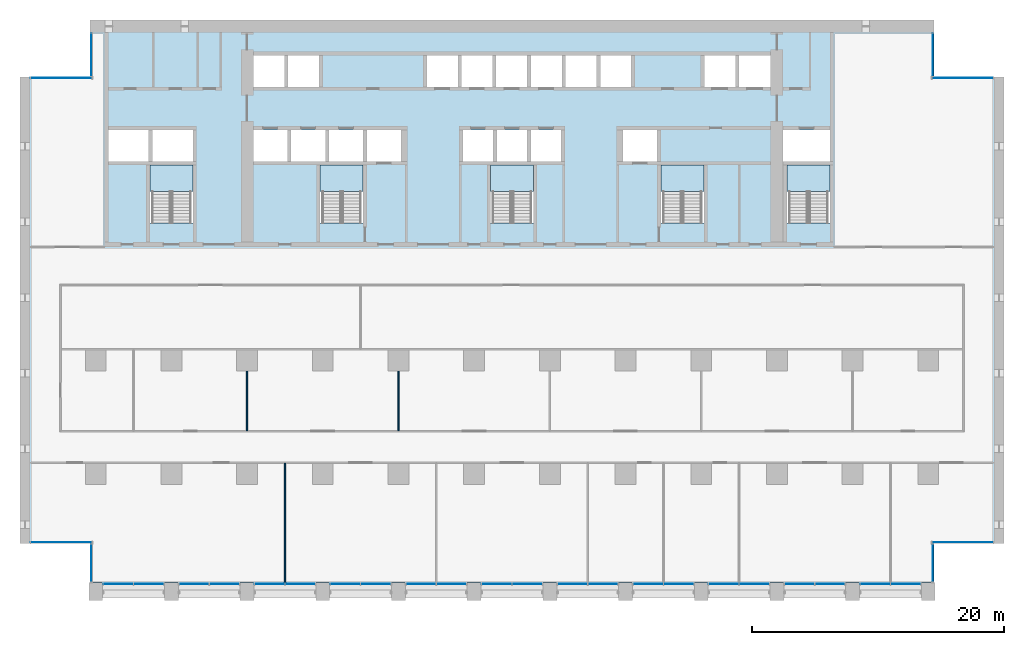
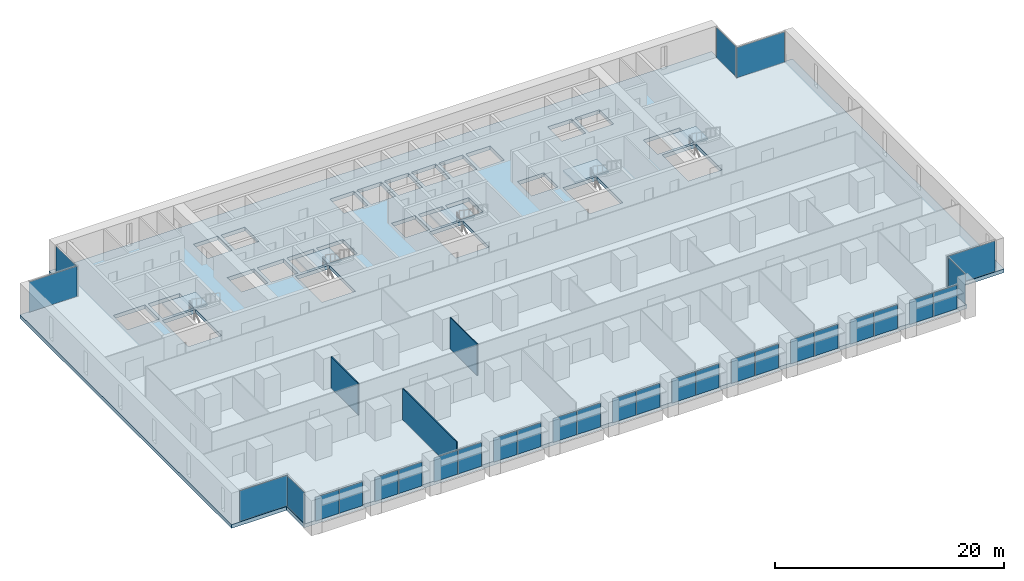
# One storey, part 7 of 18: 30 plates, 6 slabs, 3 walls, 24 elements without a shape of their own.
"""IFC4 building model written with IfcOpenShell, lengths in metres."""

from ifc_helpers import new_model, si_unit, direction, frame, frame_2d, origin, origin_2d, place, context, subcontext, project, spatial, polyline, rectangle, outline, extrude, material, layer, layer_set, type_object, element, aggregate, save


model = new_model("IFC4")

# Units and contexts
model_context = context("Model", 3, precision=1e-05, world=origin(), true_north=direction((0.0, 1.0)))
body_context = subcontext(model_context, "Body", "Model", "MODEL_VIEW")
ifc_project = project(units=[si_unit("LENGTHUNIT", "METRE"), si_unit("AREAUNIT", "SQUARE_METRE"), si_unit("VOLUMEUNIT", "CUBIC_METRE"), si_unit("PLANEANGLEUNIT", "RADIAN"), si_unit("MASSUNIT", "GRAM", prefix="KILO")], contexts=[model_context])

# Site, building, storey
site_placement = place(None, origin())
site = spatial("IfcSite", under=ifc_project, at=site_placement, CompositionType="ELEMENT")
building_placement = place(site_placement, origin())
building = spatial("IfcBuilding", under=site, at=building_placement, Name="Calvaro Tower", CompositionType="ELEMENT")
storey_placement = place(building_placement, frame((0.0, 0.0, 60.0)))
storey = spatial("IfcBuildingStorey", under=building, at=storey_placement, Name="L14", CompositionType="ELEMENT", Elevation=60.0)

# Slab
ifc_material_1 = material(Name="Concrete C40/50", Category="concrete")
ifc_layer_1 = layer(ifc_material_1, 0.39990234375)
ifc_layer_set_1 = layer_set([ifc_layer_1], Name="Concrete C40/50")
slab_type_1 = type_object("IfcSlabType", Name="Floor slab 400 C40/50", PredefinedType="FLOOR", material=ifc_layer_set_1)
slab_1_placement = place(storey_placement, frame((0.0, 0.0, -0.39990234375)))
element("IfcSlab", 1, at=slab_1_placement, inside=storey, type_object=slab_type_1, Name="Floor slab", PredefinedType="FLOOR", context=body_context, shape_type="SweptSolid", body=[
    extrude(outline(polyline([(72.449951171875, 4.5), (72.449951171875, 1.39990234375), (5.550048828125, 1.39990234375), (5.550048828125, 4.5), (0.0, 4.5), (0.0, 41.5), (5.550048828125, 41.5), (5.550048828125, 46.0), (72.449951171875, 46.0), (72.449951171875, 41.5), (78.0, 41.5), (78.0, 4.5), (72.449951171875, 4.5)]), holes=[polyline([(10.300048828125, 29.909912109375), (10.300048828125, 34.5), (12.0, 34.5), (13.699951171875, 34.5), (13.699951171875, 29.909912109375), (12.0, 29.909912109375), (10.300048828125, 29.909912109375)]), polyline([(23.800048828125, 29.909912109375), (23.800048828125, 34.5), (25.5, 34.5), (27.199951171875, 34.5), (27.199951171875, 29.909912109375), (25.5, 29.909912109375), (23.800048828125, 29.909912109375)]), polyline([(37.300048828125, 29.909912109375), (37.300048828125, 34.5), (39.0, 34.5), (40.699951171875, 34.5), (40.699951171875, 29.909912109375), (39.0, 29.909912109375), (37.300048828125, 29.909912109375)]), polyline([(50.800048828125, 29.909912109375), (50.800048828125, 34.5), (52.5, 34.5), (54.199951171875, 34.5), (54.199951171875, 29.909912109375), (52.5, 29.909912109375), (50.800048828125, 29.909912109375)]), polyline([(60.800048828125, 29.909912109375), (60.800048828125, 34.5), (62.5, 34.5), (64.199951171875, 34.5), (64.199951171875, 29.909912109375), (62.5, 29.909912109375), (60.800048828125, 29.909912109375)]), polyline([(18.5, 34.800048828125), (21.199951171875, 34.800048828125), (21.199951171875, 37.300048828125), (18.5, 37.300048828125), (18.5, 34.800048828125)]), polyline([(21.5, 34.800048828125), (24.199951171875, 34.800048828125), (24.199951171875, 37.300048828125), (21.5, 37.300048828125), (21.5, 34.800048828125)]), polyline([(24.5, 34.800048828125), (27.199951171875, 34.800048828125), (27.199951171875, 37.300048828125), (24.5, 37.300048828125), (24.5, 34.800048828125)]), polyline([(35.10009765625, 34.800048828125), (37.5, 34.800048828125), (37.5, 37.300048828125), (35.10009765625, 37.300048828125), (35.10009765625, 34.800048828125)]), polyline([(37.800048828125, 34.800048828125), (40.199951171875, 34.800048828125), (40.199951171875, 37.300048828125), (37.800048828125, 37.300048828125), (37.800048828125, 34.800048828125)]), polyline([(40.5, 34.800048828125), (42.89990234375, 34.800048828125), (42.89990234375, 37.300048828125), (40.5, 37.300048828125), (40.5, 34.800048828125)]), polyline([(18.5, 40.699951171875), (20.949951171875, 40.699951171875), (20.949951171875, 43.199951171875), (18.5, 43.199951171875), (18.5, 40.699951171875)]), polyline([(21.25, 40.699951171875), (23.699951171875, 40.699951171875), (23.699951171875, 43.199951171875), (21.25, 43.199951171875), (21.25, 40.699951171875)]), polyline([(32.25, 40.699951171875), (34.699951171875, 40.699951171875), (34.699951171875, 43.199951171875), (32.25, 43.199951171875), (32.25, 40.699951171875)]), polyline([(35.0, 40.699951171875), (37.449951171875, 40.699951171875), (37.449951171875, 43.199951171875), (35.0, 43.199951171875), (35.0, 40.699951171875)]), polyline([(37.75, 40.699951171875), (40.199951171875, 40.699951171875), (40.199951171875, 43.199951171875), (37.75, 43.199951171875), (37.75, 40.699951171875)]), polyline([(40.5, 40.699951171875), (42.949951171875, 40.699951171875), (42.949951171875, 43.199951171875), (40.5, 43.199951171875), (40.5, 40.699951171875)]), polyline([(43.25, 40.699951171875), (45.699951171875, 40.699951171875), (45.699951171875, 43.199951171875), (43.25, 43.199951171875), (43.25, 40.699951171875)]), polyline([(46.0, 40.699951171875), (48.449951171875, 40.699951171875), (48.449951171875, 43.199951171875), (46.0, 43.199951171875), (46.0, 40.699951171875)]), polyline([(54.25, 40.699951171875), (56.699951171875, 40.699951171875), (56.699951171875, 43.199951171875), (54.25, 43.199951171875), (54.25, 40.699951171875)]), polyline([(57.0, 40.699951171875), (59.5, 40.699951171875), (59.5, 43.199951171875), (57.0, 43.199951171875), (57.0, 40.699951171875)]), polyline([(7.0, 34.800048828125), (10.199951171875, 34.800048828125), (10.199951171875, 37.300048828125), (7.0, 37.300048828125), (7.0, 34.800048828125)]), polyline([(10.5, 34.800048828125), (13.699951171875, 34.800048828125), (13.699951171875, 37.300048828125), (10.5, 37.300048828125), (10.5, 34.800048828125)]), polyline([(60.5, 34.800048828125), (64.199951171875, 34.800048828125), (64.199951171875, 37.300048828125), (60.5, 37.300048828125), (60.5, 34.800048828125)]), polyline([(27.5, 34.800048828125), (30.199951171875, 34.800048828125), (30.199951171875, 37.300048828125), (27.5, 37.300048828125), (27.5, 34.800048828125)]), polyline([(47.800048828125, 34.800048828125), (50.5, 34.800048828125), (50.5, 37.300048828125), (47.800048828125, 37.300048828125), (47.800048828125, 34.800048828125)])]), origin(), (0.0, 0.0, 1.0), 0.39990234375),
])

# Curtain wall, plates
ifc_material_2 = material(Name="Anodised aluminium", Category="aluminium")
curtain_wall_type = type_object("IfcCurtainWallType", Name="Office curtain wall, lower zone", PredefinedType="NOTDEFINED", material=ifc_material_2)
curtain_wall_1_placement = place(storey_placement, origin())
curtain_wall_1 = element("IfcCurtainWall", 2, at=curtain_wall_1_placement, inside=storey, type_object=curtain_wall_type, Name="CW1 south curtain wall", PredefinedType="NOTDEFINED")
ifc_material_3 = material(Name="Glass", Category="glass")
ifc_layer_2 = layer(ifc_material_3, 0.028076171875)
ifc_layer_set_2 = layer_set([ifc_layer_2], Name="Glass")
plate_type = type_object("IfcPlateType", Name="Glass panel S1 28", PredefinedType="CURTAIN_PANEL", material=ifc_layer_set_2)
plate_1_placement = place(storey_placement, frame((7.7900390625, 1.300048828125, 0.0), z_axis=(0.0, 0.0, 1.0), x_axis=(1.0, 0.0, 0.0)))
plate_1 = element("IfcPlate", 3, at=plate_1_placement, type_object=plate_type, Name="CW1 glass panel 1.1", PredefinedType="CURTAIN_PANEL", context=body_context, shape_type="SweptSolid", body=[
    extrude(rectangle(XDim=2.360107421875, YDim=0.028076171875, at=origin_2d()), origin(), (0.0, 0.0, 1.0), 2.550048828125),
])
plate_2_placement = place(storey_placement, frame((10.2099609375, 1.300048828125, 0.0), z_axis=(0.0, 0.0, 1.0), x_axis=(1.0, 0.0, 0.0)))
plate_2 = element("IfcPlate", 4, at=plate_2_placement, type_object=plate_type, Name="CW1 glass panel 2.1", PredefinedType="CURTAIN_PANEL", context=body_context, shape_type="SweptSolid", body=[
    extrude(rectangle(XDim=2.360107421875, YDim=0.028076171875, at=origin_2d()), origin(), (0.0, 0.0, 1.0), 2.550048828125),
])
aggregate(curtain_wall_1, [plate_1, plate_2])

curtain_wall_2_placement = place(storey_placement, origin())
curtain_wall_2 = element("IfcCurtainWall", 5, at=curtain_wall_2_placement, inside=storey, type_object=curtain_wall_type, Name="CW1 south curtain wall", PredefinedType="NOTDEFINED")
plate_3_placement = place(storey_placement, frame((13.7900390625, 1.300048828125, 0.0), z_axis=(0.0, 0.0, 1.0), x_axis=(1.0, 0.0, 0.0)))
plate_3 = element("IfcPlate", 6, at=plate_3_placement, type_object=plate_type, Name="CW1 glass panel 1.1", PredefinedType="CURTAIN_PANEL", context=body_context, shape_type="SweptSolid", body=[
    extrude(rectangle(XDim=2.360107421875, YDim=0.028076171875, at=origin_2d()), origin(), (0.0, 0.0, 1.0), 2.550048828125),
])
plate_4_placement = place(storey_placement, frame((16.2099609375, 1.300048828125, 0.0), z_axis=(0.0, 0.0, 1.0), x_axis=(1.0, 0.0, 0.0)))
plate_4 = element("IfcPlate", 7, at=plate_4_placement, type_object=plate_type, Name="CW1 glass panel 2.1", PredefinedType="CURTAIN_PANEL", context=body_context, shape_type="SweptSolid", body=[
    extrude(rectangle(XDim=2.360107421875, YDim=0.028076171875, at=origin_2d()), origin(), (0.0, 0.0, 1.0), 2.550048828125),
])
aggregate(curtain_wall_2, [plate_3, plate_4])

curtain_wall_3_placement = place(storey_placement, origin())
curtain_wall_3 = element("IfcCurtainWall", 8, at=curtain_wall_3_placement, inside=storey, type_object=curtain_wall_type, Name="CW1 south curtain wall", PredefinedType="NOTDEFINED")
plate_5_placement = place(storey_placement, frame((19.7900390625, 1.300048828125, 0.0), z_axis=(0.0, 0.0, 1.0), x_axis=(1.0, 0.0, 0.0)))
plate_5 = element("IfcPlate", 9, at=plate_5_placement, type_object=plate_type, Name="CW1 glass panel 1.1", PredefinedType="CURTAIN_PANEL", context=body_context, shape_type="SweptSolid", body=[
    extrude(rectangle(XDim=2.360107421875, YDim=0.028076171875, at=origin_2d()), origin(), (0.0, 0.0, 1.0), 2.550048828125),
])
plate_6_placement = place(storey_placement, frame((22.2099609375, 1.300048828125, 0.0), z_axis=(0.0, 0.0, 1.0), x_axis=(1.0, 0.0, 0.0)))
plate_6 = element("IfcPlate", 10, at=plate_6_placement, type_object=plate_type, Name="CW1 glass panel 2.1", PredefinedType="CURTAIN_PANEL", context=body_context, shape_type="SweptSolid", body=[
    extrude(rectangle(XDim=2.360107421875, YDim=0.028076171875, at=origin_2d()), origin(), (0.0, 0.0, 1.0), 2.550048828125),
])
aggregate(curtain_wall_3, [plate_5, plate_6])

curtain_wall_4_placement = place(storey_placement, origin())
curtain_wall_4 = element("IfcCurtainWall", 11, at=curtain_wall_4_placement, inside=storey, type_object=curtain_wall_type, Name="CW1 south curtain wall", PredefinedType="NOTDEFINED")
plate_7_placement = place(storey_placement, frame((25.7900390625, 1.300048828125, 0.0), z_axis=(0.0, 0.0, 1.0), x_axis=(1.0, 0.0, 0.0)))
plate_7 = element("IfcPlate", 12, at=plate_7_placement, type_object=plate_type, Name="CW1 glass panel 1.1", PredefinedType="CURTAIN_PANEL", context=body_context, shape_type="SweptSolid", body=[
    extrude(rectangle(XDim=2.360107421875, YDim=0.028076171875, at=origin_2d()), origin(), (0.0, 0.0, 1.0), 2.550048828125),
])
plate_8_placement = place(storey_placement, frame((28.2099609375, 1.300048828125, 0.0), z_axis=(0.0, 0.0, 1.0), x_axis=(1.0, 0.0, 0.0)))
plate_8 = element("IfcPlate", 13, at=plate_8_placement, type_object=plate_type, Name="CW1 glass panel 2.1", PredefinedType="CURTAIN_PANEL", context=body_context, shape_type="SweptSolid", body=[
    extrude(rectangle(XDim=2.360107421875, YDim=0.028076171875, at=origin_2d()), origin(), (0.0, 0.0, 1.0), 2.550048828125),
])
aggregate(curtain_wall_4, [plate_7, plate_8])

curtain_wall_5_placement = place(storey_placement, origin())
curtain_wall_5 = element("IfcCurtainWall", 14, at=curtain_wall_5_placement, inside=storey, type_object=curtain_wall_type, Name="CW1 south curtain wall", PredefinedType="NOTDEFINED")
plate_9_placement = place(storey_placement, frame((31.7900390625, 1.300048828125, 0.0), z_axis=(0.0, 0.0, 1.0), x_axis=(1.0, 0.0, 0.0)))
plate_9 = element("IfcPlate", 15, at=plate_9_placement, type_object=plate_type, Name="CW1 glass panel 1.1", PredefinedType="CURTAIN_PANEL", context=body_context, shape_type="SweptSolid", body=[
    extrude(rectangle(XDim=2.360107421875, YDim=0.028076171875, at=origin_2d()), origin(), (0.0, 0.0, 1.0), 2.550048828125),
])
plate_10_placement = place(storey_placement, frame((34.2099609375, 1.300048828125, 0.0), z_axis=(0.0, 0.0, 1.0), x_axis=(1.0, 0.0, 0.0)))
plate_10 = element("IfcPlate", 16, at=plate_10_placement, type_object=plate_type, Name="CW1 glass panel 2.1", PredefinedType="CURTAIN_PANEL", context=body_context, shape_type="SweptSolid", body=[
    extrude(rectangle(XDim=2.360107421875, YDim=0.028076171875, at=origin_2d()), origin(), (0.0, 0.0, 1.0), 2.550048828125),
])
aggregate(curtain_wall_5, [plate_9, plate_10])

curtain_wall_6_placement = place(storey_placement, origin())
curtain_wall_6 = element("IfcCurtainWall", 17, at=curtain_wall_6_placement, inside=storey, type_object=curtain_wall_type, Name="CW1 south curtain wall", PredefinedType="NOTDEFINED")
plate_11_placement = place(storey_placement, frame((37.7900390625, 1.300048828125, 0.0), z_axis=(0.0, 0.0, 1.0), x_axis=(1.0, 0.0, 0.0)))
plate_11 = element("IfcPlate", 18, at=plate_11_placement, type_object=plate_type, Name="CW1 glass panel 1.1", PredefinedType="CURTAIN_PANEL", context=body_context, shape_type="SweptSolid", body=[
    extrude(rectangle(XDim=2.360107421875, YDim=0.028076171875, at=origin_2d()), origin(), (0.0, 0.0, 1.0), 2.550048828125),
])
plate_12_placement = place(storey_placement, frame((40.2099609375, 1.300048828125, 0.0), z_axis=(0.0, 0.0, 1.0), x_axis=(1.0, 0.0, 0.0)))
plate_12 = element("IfcPlate", 19, at=plate_12_placement, type_object=plate_type, Name="CW1 glass panel 2.1", PredefinedType="CURTAIN_PANEL", context=body_context, shape_type="SweptSolid", body=[
    extrude(rectangle(XDim=2.360107421875, YDim=0.028076171875, at=origin_2d()), origin(), (0.0, 0.0, 1.0), 2.550048828125),
])
aggregate(curtain_wall_6, [plate_11, plate_12])

curtain_wall_7_placement = place(storey_placement, origin())
curtain_wall_7 = element("IfcCurtainWall", 20, at=curtain_wall_7_placement, inside=storey, type_object=curtain_wall_type, Name="CW1 south curtain wall", PredefinedType="NOTDEFINED")
plate_13_placement = place(storey_placement, frame((43.7900390625, 1.300048828125, 0.0), z_axis=(0.0, 0.0, 1.0), x_axis=(1.0, 0.0, 0.0)))
plate_13 = element("IfcPlate", 21, at=plate_13_placement, type_object=plate_type, Name="CW1 glass panel 1.1", PredefinedType="CURTAIN_PANEL", context=body_context, shape_type="SweptSolid", body=[
    extrude(rectangle(XDim=2.360107421875, YDim=0.028076171875, at=origin_2d()), origin(), (0.0, 0.0, 1.0), 2.550048828125),
])
plate_14_placement = place(storey_placement, frame((46.2099609375, 1.300048828125, 0.0), z_axis=(0.0, 0.0, 1.0), x_axis=(1.0, 0.0, 0.0)))
plate_14 = element("IfcPlate", 22, at=plate_14_placement, type_object=plate_type, Name="CW1 glass panel 2.1", PredefinedType="CURTAIN_PANEL", context=body_context, shape_type="SweptSolid", body=[
    extrude(rectangle(XDim=2.360107421875, YDim=0.028076171875, at=origin_2d()), origin(), (0.0, 0.0, 1.0), 2.550048828125),
])
aggregate(curtain_wall_7, [plate_13, plate_14])

curtain_wall_8_placement = place(storey_placement, origin())
curtain_wall_8 = element("IfcCurtainWall", 23, at=curtain_wall_8_placement, inside=storey, type_object=curtain_wall_type, Name="CW1 south curtain wall", PredefinedType="NOTDEFINED")
plate_15_placement = place(storey_placement, frame((49.7900390625, 1.300048828125, 0.0), z_axis=(0.0, 0.0, 1.0), x_axis=(1.0, 0.0, 0.0)))
plate_15 = element("IfcPlate", 24, at=plate_15_placement, type_object=plate_type, Name="CW1 glass panel 1.1", PredefinedType="CURTAIN_PANEL", context=body_context, shape_type="SweptSolid", body=[
    extrude(rectangle(XDim=2.360107421875, YDim=0.028076171875, at=origin_2d()), origin(), (0.0, 0.0, 1.0), 2.550048828125),
])
plate_16_placement = place(storey_placement, frame((52.2099609375, 1.300048828125, 0.0), z_axis=(0.0, 0.0, 1.0), x_axis=(1.0, 0.0, 0.0)))
plate_16 = element("IfcPlate", 25, at=plate_16_placement, type_object=plate_type, Name="CW1 glass panel 2.1", PredefinedType="CURTAIN_PANEL", context=body_context, shape_type="SweptSolid", body=[
    extrude(rectangle(XDim=2.360107421875, YDim=0.028076171875, at=origin_2d()), origin(), (0.0, 0.0, 1.0), 2.550048828125),
])
aggregate(curtain_wall_8, [plate_15, plate_16])

curtain_wall_9_placement = place(storey_placement, origin())
curtain_wall_9 = element("IfcCurtainWall", 26, at=curtain_wall_9_placement, inside=storey, type_object=curtain_wall_type, Name="CW1 south curtain wall", PredefinedType="NOTDEFINED")
plate_17_placement = place(storey_placement, frame((55.7900390625, 1.300048828125, 0.0), z_axis=(0.0, 0.0, 1.0), x_axis=(1.0, 0.0, 0.0)))
plate_17 = element("IfcPlate", 27, at=plate_17_placement, type_object=plate_type, Name="CW1 glass panel 1.1", PredefinedType="CURTAIN_PANEL", context=body_context, shape_type="SweptSolid", body=[
    extrude(rectangle(XDim=2.360107421875, YDim=0.028076171875, at=origin_2d()), origin(), (0.0, 0.0, 1.0), 2.550048828125),
])
plate_18_placement = place(storey_placement, frame((58.2099609375, 1.300048828125, 0.0), z_axis=(0.0, 0.0, 1.0), x_axis=(1.0, 0.0, 0.0)))
plate_18 = element("IfcPlate", 28, at=plate_18_placement, type_object=plate_type, Name="CW1 glass panel 2.1", PredefinedType="CURTAIN_PANEL", context=body_context, shape_type="SweptSolid", body=[
    extrude(rectangle(XDim=2.360107421875, YDim=0.028076171875, at=origin_2d()), origin(), (0.0, 0.0, 1.0), 2.550048828125),
])
aggregate(curtain_wall_9, [plate_17, plate_18])

curtain_wall_10_placement = place(storey_placement, origin())
curtain_wall_10 = element("IfcCurtainWall", 29, at=curtain_wall_10_placement, inside=storey, type_object=curtain_wall_type, Name="CW1 south curtain wall", PredefinedType="NOTDEFINED")
plate_19_placement = place(storey_placement, frame((61.7900390625, 1.300048828125, 0.0), z_axis=(0.0, 0.0, 1.0), x_axis=(1.0, 0.0, 0.0)))
plate_19 = element("IfcPlate", 30, at=plate_19_placement, type_object=plate_type, Name="CW1 glass panel 1.1", PredefinedType="CURTAIN_PANEL", context=body_context, shape_type="SweptSolid", body=[
    extrude(rectangle(XDim=2.360107421875, YDim=0.028076171875, at=origin_2d()), origin(), (0.0, 0.0, 1.0), 2.550048828125),
])
plate_20_placement = place(storey_placement, frame((64.2099609375, 1.300048828125, 0.0), z_axis=(0.0, 0.0, 1.0), x_axis=(1.0, 0.0, 0.0)))
plate_20 = element("IfcPlate", 31, at=plate_20_placement, type_object=plate_type, Name="CW1 glass panel 2.1", PredefinedType="CURTAIN_PANEL", context=body_context, shape_type="SweptSolid", body=[
    extrude(rectangle(XDim=2.360107421875, YDim=0.028076171875, at=origin_2d()), origin(), (0.0, 0.0, 1.0), 2.550048828125),
])
aggregate(curtain_wall_10, [plate_19, plate_20])

curtain_wall_11_placement = place(storey_placement, origin())
curtain_wall_11 = element("IfcCurtainWall", 32, at=curtain_wall_11_placement, inside=storey, type_object=curtain_wall_type, Name="CW1 south curtain wall", PredefinedType="NOTDEFINED")
plate_21_placement = place(storey_placement, frame((67.7900390625, 1.300048828125, 0.0), z_axis=(0.0, 0.0, 1.0), x_axis=(1.0, 0.0, 0.0)))
plate_21 = element("IfcPlate", 33, at=plate_21_placement, type_object=plate_type, Name="CW1 glass panel 1.1", PredefinedType="CURTAIN_PANEL", context=body_context, shape_type="SweptSolid", body=[
    extrude(rectangle(XDim=2.360107421875, YDim=0.028076171875, at=origin_2d()), origin(), (0.0, 0.0, 1.0), 2.550048828125),
])
plate_22_placement = place(storey_placement, frame((70.2099609375, 1.300048828125, 0.0), z_axis=(0.0, 0.0, 1.0), x_axis=(1.0, 0.0, 0.0)))
plate_22 = element("IfcPlate", 34, at=plate_22_placement, type_object=plate_type, Name="CW1 glass panel 2.1", PredefinedType="CURTAIN_PANEL", context=body_context, shape_type="SweptSolid", body=[
    extrude(rectangle(XDim=2.360107421875, YDim=0.028076171875, at=origin_2d()), origin(), (0.0, 0.0, 1.0), 2.550048828125),
])
aggregate(curtain_wall_11, [plate_21, plate_22])

# Curtain wall, plate
curtain_wall_12_placement = place(storey_placement, origin())
curtain_wall_12 = element("IfcCurtainWall", 35, at=curtain_wall_12_placement, inside=storey, type_object=curtain_wall_type, Name="CW1 corner curtain wall", PredefinedType="NOTDEFINED")
plate_23_placement = place(storey_placement, frame((5.64990234375, 2.949951171875, 0.0), z_axis=(0.0, 0.0, 1.0), x_axis=(0.0, 1.0, 0.0)))
plate_23 = element("IfcPlate", 36, at=plate_23_placement, type_object=plate_type, Name="CW1 glass panel 1.1", PredefinedType="CURTAIN_PANEL", context=body_context, shape_type="SweptSolid", body=[
    extrude(rectangle(XDim=2.97998046875, YDim=0.028076171875, at=origin_2d()), origin(), (0.0, 0.0, 1.0), 3.25),
])
aggregate(curtain_wall_12, [plate_23])

curtain_wall_13_placement = place(storey_placement, origin())
curtain_wall_13 = element("IfcCurtainWall", 37, at=curtain_wall_13_placement, inside=storey, type_object=curtain_wall_type, Name="CW1 corner curtain wall", PredefinedType="NOTDEFINED")
plate_24_placement = place(storey_placement, frame((3.27490234375, 4.60009765625, 0.0), z_axis=(0.0, 0.0, 1.0), x_axis=(1.0, 0.0, 0.0)))
plate_24 = element("IfcPlate", 38, at=plate_24_placement, type_object=plate_type, Name="CW1 glass panel 1.1", PredefinedType="CURTAIN_PANEL", context=body_context, shape_type="SweptSolid", body=[
    extrude(rectangle(XDim=4.830078125, YDim=0.028076171875, at=origin_2d()), origin(), (0.0, 0.0, 1.0), 3.25),
])
aggregate(curtain_wall_13, [plate_24])

curtain_wall_14_placement = place(storey_placement, origin())
curtain_wall_14 = element("IfcCurtainWall", 39, at=curtain_wall_14_placement, inside=storey, type_object=curtain_wall_type, Name="CW1 corner curtain wall", PredefinedType="NOTDEFINED")
plate_25_placement = place(storey_placement, frame((5.64990234375, 43.25, 0.0), z_axis=(0.0, 0.0, 1.0), x_axis=(0.0, 1.0, 0.0)))
plate_25 = element("IfcPlate", 40, at=plate_25_placement, type_object=plate_type, Name="CW1 glass panel 1.1", PredefinedType="CURTAIN_PANEL", context=body_context, shape_type="SweptSolid", body=[
    extrude(rectangle(XDim=3.3798828125, YDim=0.028076171875, at=origin_2d()), origin(), (0.0, 0.0, 1.0), 3.25),
])
aggregate(curtain_wall_14, [plate_25])

curtain_wall_15_placement = place(storey_placement, origin())
curtain_wall_15 = element("IfcCurtainWall", 41, at=curtain_wall_15_placement, inside=storey, type_object=curtain_wall_type, Name="CW1 corner curtain wall", PredefinedType="NOTDEFINED")
plate_26_placement = place(storey_placement, frame((3.27490234375, 41.39990234375, 0.0), z_axis=(0.0, 0.0, 1.0), x_axis=(1.0, 0.0, 0.0)))
plate_26 = element("IfcPlate", 42, at=plate_26_placement, type_object=plate_type, Name="CW1 glass panel 1.1", PredefinedType="CURTAIN_PANEL", context=body_context, shape_type="SweptSolid", body=[
    extrude(rectangle(XDim=4.830078125, YDim=0.028076171875, at=origin_2d()), origin(), (0.0, 0.0, 1.0), 3.25),
])
aggregate(curtain_wall_15, [plate_26])

curtain_wall_16_placement = place(storey_placement, origin())
curtain_wall_16 = element("IfcCurtainWall", 43, at=curtain_wall_16_placement, inside=storey, type_object=curtain_wall_type, Name="CW1 corner curtain wall", PredefinedType="NOTDEFINED")
plate_27_placement = place(storey_placement, frame((72.35009765625, 2.949951171875, 0.0), z_axis=(0.0, 0.0, 1.0), x_axis=(0.0, 1.0, 0.0)))
plate_27 = element("IfcPlate", 44, at=plate_27_placement, type_object=plate_type, Name="CW1 glass panel 1.1", PredefinedType="CURTAIN_PANEL", context=body_context, shape_type="SweptSolid", body=[
    extrude(rectangle(XDim=2.97998046875, YDim=0.028076171875, at=origin_2d()), origin(), (0.0, 0.0, 1.0), 3.25),
])
aggregate(curtain_wall_16, [plate_27])

curtain_wall_17_placement = place(storey_placement, origin())
curtain_wall_17 = element("IfcCurtainWall", 45, at=curtain_wall_17_placement, inside=storey, type_object=curtain_wall_type, Name="CW1 corner curtain wall", PredefinedType="NOTDEFINED")
plate_28_placement = place(storey_placement, frame((74.72509765625, 4.60009765625, 0.0), z_axis=(0.0, 0.0, 1.0), x_axis=(1.0, 0.0, 0.0)))
plate_28 = element("IfcPlate", 46, at=plate_28_placement, type_object=plate_type, Name="CW1 glass panel 1.1", PredefinedType="CURTAIN_PANEL", context=body_context, shape_type="SweptSolid", body=[
    extrude(rectangle(XDim=4.830078125, YDim=0.028076171875, at=origin_2d()), origin(), (0.0, 0.0, 1.0), 3.25),
])
aggregate(curtain_wall_17, [plate_28])

curtain_wall_18_placement = place(storey_placement, origin())
curtain_wall_18 = element("IfcCurtainWall", 47, at=curtain_wall_18_placement, inside=storey, type_object=curtain_wall_type, Name="CW1 corner curtain wall", PredefinedType="NOTDEFINED")
plate_29_placement = place(storey_placement, frame((72.35009765625, 43.25, 0.0), z_axis=(0.0, 0.0, 1.0), x_axis=(0.0, 1.0, 0.0)))
plate_29 = element("IfcPlate", 48, at=plate_29_placement, type_object=plate_type, Name="CW1 glass panel 1.1", PredefinedType="CURTAIN_PANEL", context=body_context, shape_type="SweptSolid", body=[
    extrude(rectangle(XDim=3.3798828125, YDim=0.028076171875, at=origin_2d()), origin(), (0.0, 0.0, 1.0), 3.25),
])
aggregate(curtain_wall_18, [plate_29])

curtain_wall_19_placement = place(storey_placement, origin())
curtain_wall_19 = element("IfcCurtainWall", 49, at=curtain_wall_19_placement, inside=storey, type_object=curtain_wall_type, Name="CW1 corner curtain wall", PredefinedType="NOTDEFINED")
plate_30_placement = place(storey_placement, frame((74.72509765625, 41.39990234375, 0.0), z_axis=(0.0, 0.0, 1.0), x_axis=(1.0, 0.0, 0.0)))
plate_30 = element("IfcPlate", 50, at=plate_30_placement, type_object=plate_type, Name="CW1 glass panel 1.1", PredefinedType="CURTAIN_PANEL", context=body_context, shape_type="SweptSolid", body=[
    extrude(rectangle(XDim=4.830078125, YDim=0.028076171875, at=origin_2d()), origin(), (0.0, 0.0, 1.0), 3.25),
])
aggregate(curtain_wall_19, [plate_30])

# Stair, slab
ifc_material_4 = material(Name="Concrete C40/50", Category="concrete")
stair_type = type_object("IfcStairType", Name="Exit stair 1400 2 flights", PredefinedType="HALF_TURN_STAIR", material=ifc_material_4)
stair_1_placement = place(storey_placement, origin())
stair_1 = element("IfcStair", 51, at=stair_1_placement, inside=storey, type_object=stair_type, Name="Exit stair S1", PredefinedType="HALF_TURN_STAIR")
ifc_material_5 = material(Name="Concrete C40/50", Category="concrete")
ifc_layer_3 = layer(ifc_material_5, 0.199951171875)
ifc_layer_set_3 = layer_set([ifc_layer_3], Name="Concrete C40/50")
slab_type_2 = type_object("IfcSlabType", Name="Stair landing", PredefinedType="LANDING", material=ifc_layer_set_3)
slab_2_placement = place(storey_placement, frame((0.0, 0.0, 1.675048828125)))
slab_2 = element("IfcSlab", 52, at=slab_2_placement, type_object=slab_type_2, Name="Exit stair 1, landing 1", PredefinedType="LANDING", context=body_context, shape_type="SweptSolid", body=[
    extrude(outline(polyline([(11.89990234375, 32.389892578125), (10.5, 32.389892578125), (10.5, 32.39990234375), (10.300048828125, 32.39990234375), (10.300048828125, 34.5), (10.5, 34.5), (11.89990234375, 34.5), (12.10009765625, 34.5), (13.5, 34.5), (13.699951171875, 34.5), (13.699951171875, 32.39990234375), (13.5, 32.39990234375), (13.5, 32.389892578125), (12.10009765625, 32.389892578125), (12.10009765625, 32.39990234375), (11.89990234375, 32.39990234375), (11.89990234375, 32.389892578125)])), origin(), (0.0, 0.0, 1.0), 0.199951171875),
])
aggregate(stair_1, [slab_2])

stair_2_placement = place(storey_placement, origin())
stair_2 = element("IfcStair", 53, at=stair_2_placement, inside=storey, type_object=stair_type, Name="Exit stair S2", PredefinedType="HALF_TURN_STAIR")
slab_3_placement = place(storey_placement, frame((0.0, 0.0, 1.675048828125)))
slab_3 = element("IfcSlab", 54, at=slab_3_placement, type_object=slab_type_2, Name="Exit stair 2, landing 1", PredefinedType="LANDING", context=body_context, shape_type="SweptSolid", body=[
    extrude(outline(polyline([(25.39990234375, 32.389892578125), (24.0, 32.389892578125), (24.0, 32.39990234375), (23.800048828125, 32.39990234375), (23.800048828125, 34.5), (24.0, 34.5), (25.39990234375, 34.5), (25.60009765625, 34.5), (27.0, 34.5), (27.199951171875, 34.5), (27.199951171875, 32.39990234375), (27.0, 32.39990234375), (27.0, 32.389892578125), (25.60009765625, 32.389892578125), (25.60009765625, 32.39990234375), (25.39990234375, 32.39990234375), (25.39990234375, 32.389892578125)])), origin(), (0.0, 0.0, 1.0), 0.199951171875),
])
aggregate(stair_2, [slab_3])

stair_3_placement = place(storey_placement, origin())
stair_3 = element("IfcStair", 55, at=stair_3_placement, inside=storey, type_object=stair_type, Name="Exit stair S3", PredefinedType="HALF_TURN_STAIR")
slab_4_placement = place(storey_placement, frame((0.0, 0.0, 1.675048828125)))
slab_4 = element("IfcSlab", 56, at=slab_4_placement, type_object=slab_type_2, Name="Exit stair 3, landing 1", PredefinedType="LANDING", context=body_context, shape_type="SweptSolid", body=[
    extrude(outline(polyline([(38.89990234375, 32.389892578125), (37.5, 32.389892578125), (37.5, 32.39990234375), (37.300048828125, 32.39990234375), (37.300048828125, 34.5), (37.5, 34.5), (38.89990234375, 34.5), (39.10009765625, 34.5), (40.5, 34.5), (40.699951171875, 34.5), (40.699951171875, 32.39990234375), (40.5, 32.39990234375), (40.5, 32.389892578125), (39.10009765625, 32.389892578125), (39.10009765625, 32.39990234375), (38.89990234375, 32.39990234375), (38.89990234375, 32.389892578125)])), origin(), (0.0, 0.0, 1.0), 0.199951171875),
])
aggregate(stair_3, [slab_4])

stair_4_placement = place(storey_placement, origin())
stair_4 = element("IfcStair", 57, at=stair_4_placement, inside=storey, type_object=stair_type, Name="Exit stair S4", PredefinedType="HALF_TURN_STAIR")
slab_5_placement = place(storey_placement, frame((0.0, 0.0, 1.675048828125)))
slab_5 = element("IfcSlab", 58, at=slab_5_placement, type_object=slab_type_2, Name="Exit stair 4, landing 1", PredefinedType="LANDING", context=body_context, shape_type="SweptSolid", body=[
    extrude(outline(polyline([(52.39990234375, 32.389892578125), (51.0, 32.389892578125), (51.0, 32.39990234375), (50.800048828125, 32.39990234375), (50.800048828125, 34.5), (51.0, 34.5), (52.39990234375, 34.5), (52.60009765625, 34.5), (54.0, 34.5), (54.199951171875, 34.5), (54.199951171875, 32.39990234375), (54.0, 32.39990234375), (54.0, 32.389892578125), (52.60009765625, 32.389892578125), (52.60009765625, 32.39990234375), (52.39990234375, 32.39990234375), (52.39990234375, 32.389892578125)])), origin(), (0.0, 0.0, 1.0), 0.199951171875),
])
aggregate(stair_4, [slab_5])

stair_5_placement = place(storey_placement, origin())
stair_5 = element("IfcStair", 59, at=stair_5_placement, inside=storey, type_object=stair_type, Name="Exit stair S5", PredefinedType="HALF_TURN_STAIR")
slab_6_placement = place(storey_placement, frame((0.0, 0.0, 1.675048828125)))
slab_6 = element("IfcSlab", 60, at=slab_6_placement, type_object=slab_type_2, Name="Exit stair 5, landing 1", PredefinedType="LANDING", context=body_context, shape_type="SweptSolid", body=[
    extrude(outline(polyline([(62.39990234375, 32.389892578125), (61.0, 32.389892578125), (61.0, 32.39990234375), (60.800048828125, 32.39990234375), (60.800048828125, 34.5), (61.0, 34.5), (62.39990234375, 34.5), (62.60009765625, 34.5), (64.0, 34.5), (64.199951171875, 34.5), (64.199951171875, 32.39990234375), (64.0, 32.39990234375), (64.0, 32.389892578125), (62.60009765625, 32.389892578125), (62.60009765625, 32.39990234375), (62.39990234375, 32.39990234375), (62.39990234375, 32.389892578125)])), origin(), (0.0, 0.0, 1.0), 0.199951171875),
])
aggregate(stair_5, [slab_6])

# Walls
ifc_material_6 = material(Name="Plasterboard on steel studs", Category="steel")
ifc_layer_4 = layer(ifc_material_6, 0.10009765625)
ifc_layer_set_4 = layer_set([ifc_layer_4], Name="Plasterboard on steel studs")
wall_type = type_object("IfcWallType", Name="Partition 100", PredefinedType="PARTITIONING", material=ifc_layer_set_4)
wall_1_placement = place(storey_placement, frame((18.0, 13.449951171875, 0.0), z_axis=(0.0, 0.0, 1.0), x_axis=(0.0, 1.0, 0.0)))
element("IfcWall", 61, at=wall_1_placement, inside=storey, type_object=wall_type, Name="Partition T12.W009", PredefinedType="PARTITIONING", context=body_context, shape_type="SweptSolid", body=[
    extrude(rectangle(XDim=4.72509765625, YDim=0.10009765625, at=frame_2d((2.362548828125, 0.0))), origin(), (0.0, 0.0, 1.0), 3.35009765625),
])
wall_2_placement = place(storey_placement, frame((21.0, 1.39990234375, 0.0), z_axis=(0.0, 0.0, 1.0), x_axis=(0.0, 1.0, 0.0)))
element("IfcWall", 62, at=wall_2_placement, inside=storey, type_object=wall_type, Name="Partition T12.W010", PredefinedType="PARTITIONING", context=body_context, shape_type="SweptSolid", body=[
    extrude(rectangle(XDim=9.4501953125, YDim=0.10009765625, at=frame_2d((4.72509765625, 0.0))), origin(), (0.0, 0.0, 1.0), 3.35009765625),
])
wall_3_placement = place(storey_placement, frame((30.0, 13.449951171875, 0.0), z_axis=(0.0, 0.0, 1.0), x_axis=(0.0, 1.0, 0.0)))
element("IfcWall", 63, at=wall_3_placement, inside=storey, type_object=wall_type, Name="Partition T12.W012", PredefinedType="PARTITIONING", context=body_context, shape_type="SweptSolid", body=[
    extrude(rectangle(XDim=4.72509765625, YDim=0.10009765625, at=frame_2d((2.362548828125, 0.0))), origin(), (0.0, 0.0, 1.0), 3.35009765625),
])

save(model, "model.ifc")
